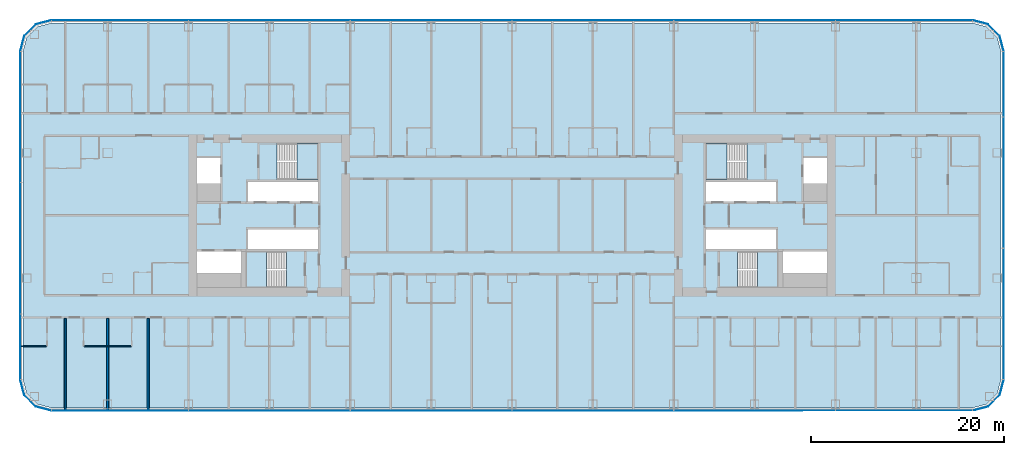
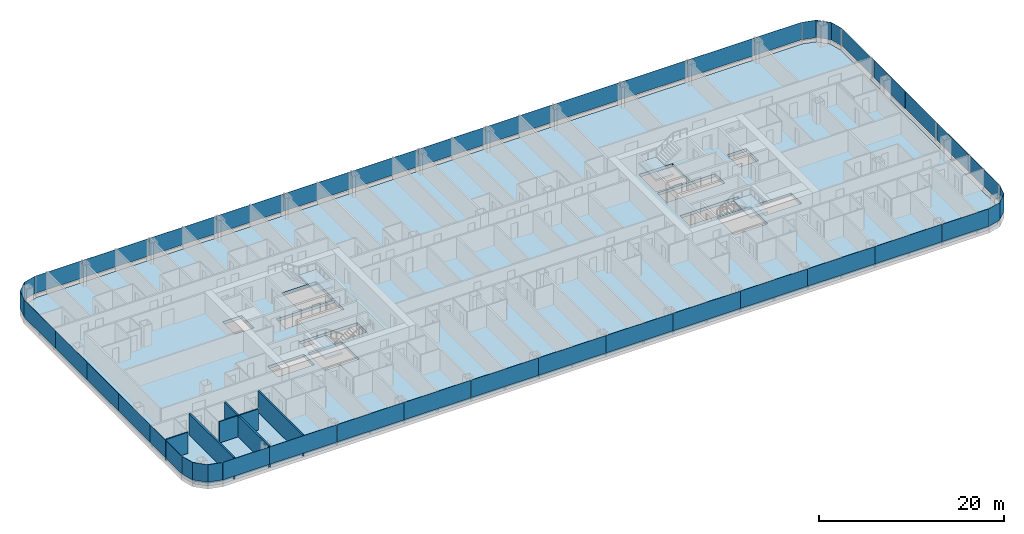
# One storey, part 12 of 29: 38 plates, 5 slabs, 5 walls, 12 elements without a shape of their own.
"""IFC4 building model written with IfcOpenShell, lengths in metres."""

from ifc_helpers import new_model, si_unit, direction, frame, frame_2d, origin, origin_2d, place, context, subcontext, project, spatial, polyline, rectangle, outline, extrude, material, layer, layer_set, type_object, element, aggregate, save


model = new_model("IFC4")

# Units and contexts
model_context = context("Model", 3, precision=1e-05, world=origin(), true_north=direction((0.0, 1.0)))
body_context = subcontext(model_context, "Body", "Model", "MODEL_VIEW")
ifc_project = project(units=[si_unit("LENGTHUNIT", "METRE"), si_unit("AREAUNIT", "SQUARE_METRE"), si_unit("VOLUMEUNIT", "CUBIC_METRE"), si_unit("PLANEANGLEUNIT", "RADIAN"), si_unit("MASSUNIT", "GRAM", prefix="KILO")], contexts=[model_context])

# Site, building, storey
site_placement = place(None, origin())
site = spatial("IfcSite", under=ifc_project, at=site_placement, CompositionType="ELEMENT")
building_placement = place(site_placement, origin())
building = spatial("IfcBuilding", under=site, at=building_placement, Name="Hakoniwa Tower and Hamabe Station Hall", CompositionType="ELEMENT")
storey_placement = place(building_placement, frame((0.0, 0.0, 55.0)))
storey = spatial("IfcBuildingStorey", under=building, at=storey_placement, Name="L15", CompositionType="ELEMENT", Elevation=55.0)

# Stair, slab
ifc_material_1 = material(Name="Concrete C40", Category="concrete")
stair_type = type_object("IfcStairType", Name="ESCAPE STAIR 1800", PredefinedType="HALF_TURN_STAIR", material=ifc_material_1)
stair_1_placement = place(storey_placement, origin())
stair_1 = element("IfcStair", 1, at=stair_1_placement, inside=storey, type_object=stair_type, Name="Escape stair ST-1 L15", PredefinedType="HALF_TURN_STAIR")
ifc_material_2 = material(Name="Concrete C40", Category="concrete")
ifc_layer_1 = layer(ifc_material_2, 0.25)
ifc_layer_set_1 = layer_set([ifc_layer_1], Name="CORE STAIR LANDING 250")
slab_type_1 = type_object("IfcSlabType", Name="CORE STAIR LANDING 250", PredefinedType="LANDING", material=ifc_layer_set_1)
slab_1_placement = place(storey_placement, frame((0.0, 0.0, 1.35009765625)))
slab_1 = element("IfcSlab", 2, at=slab_1_placement, type_object=slab_type_1, Name="ST-1 landing 1", PredefinedType="LANDING", context=body_context, shape_type="SweptSolid", body=[
    extrude(outline(polyline([(-22.320068359375, 3.75), (-20.14990234375, 3.75), (-20.14990234375, 7.5), (-22.320068359375, 7.5), (-22.320068359375, 3.75)])), origin(), (0.0, 0.0, 1.0), 0.25),
])
aggregate(stair_1, [slab_1])

stair_2_placement = place(storey_placement, origin())
stair_2 = element("IfcStair", 3, at=stair_2_placement, inside=storey, type_object=stair_type, Name="Escape stair ST-2 L15", PredefinedType="HALF_TURN_STAIR")
slab_2_placement = place(storey_placement, frame((0.0, 0.0, 1.35009765625)))
slab_2 = element("IfcSlab", 4, at=slab_2_placement, type_object=slab_type_1, Name="ST-2 landing 1", PredefinedType="LANDING", context=body_context, shape_type="SweptSolid", body=[
    extrude(outline(polyline([(-25.47998046875, -7.5), (-27.64990234375, -7.5), (-27.64990234375, -3.75), (-25.47998046875, -3.75), (-25.47998046875, -7.5)])), origin(), (0.0, 0.0, 1.0), 0.25),
])
aggregate(stair_2, [slab_2])

stair_3_placement = place(storey_placement, origin())
stair_3 = element("IfcStair", 5, at=stair_3_placement, inside=storey, type_object=stair_type, Name="Escape stair ST-3 L15", PredefinedType="HALF_TURN_STAIR")
slab_3_placement = place(storey_placement, frame((0.0, 0.0, 1.35009765625)))
slab_3 = element("IfcSlab", 6, at=slab_3_placement, type_object=slab_type_1, Name="ST-3 landing 1", PredefinedType="LANDING", context=body_context, shape_type="SweptSolid", body=[
    extrude(outline(polyline([(22.320068359375, 3.75), (20.14990234375, 3.75), (20.14990234375, 7.5), (22.320068359375, 7.5), (22.320068359375, 3.75)])), origin(), (0.0, 0.0, 1.0), 0.25),
])
aggregate(stair_3, [slab_3])

stair_4_placement = place(storey_placement, origin())
stair_4 = element("IfcStair", 7, at=stair_4_placement, inside=storey, type_object=stair_type, Name="Escape stair ST-4 L15", PredefinedType="HALF_TURN_STAIR")
slab_4_placement = place(storey_placement, frame((0.0, 0.0, 1.35009765625)))
slab_4 = element("IfcSlab", 8, at=slab_4_placement, type_object=slab_type_1, Name="ST-4 landing 1", PredefinedType="LANDING", context=body_context, shape_type="SweptSolid", body=[
    extrude(outline(polyline([(25.47998046875, -7.5), (27.64990234375, -7.5), (27.64990234375, -3.75), (25.47998046875, -3.75), (25.47998046875, -7.5)])), origin(), (0.0, 0.0, 1.0), 0.25),
])
aggregate(stair_4, [slab_4])

# Curtain wall, plates
ifc_material_3 = material(Name="Dark low-e laminated glass", Category="glass")
ifc_layer_2 = layer(ifc_material_3, 0.199951171875)
ifc_layer_set_2 = layer_set([ifc_layer_2], Name="CW-1 UNITISED GUEST")
curtain_wall_type = type_object("IfcCurtainWallType", Name="CW-1 UNITISED GUEST", PredefinedType="NOTDEFINED", material=ifc_layer_set_2)
curtain_wall_1_placement = place(storey_placement, origin())
curtain_wall_1 = element("IfcCurtainWall", 9, at=curtain_wall_1_placement, inside=storey, type_object=curtain_wall_type, Name="CW-1 curtain wall", PredefinedType="NOTDEFINED")
ifc_material_4 = material(Name="Dark low-e laminated glass", Category="glass")
ifc_layer_3 = layer(ifc_material_4, 0.028076171875)
ifc_layer_set_3 = layer_set([ifc_layer_3], Name="CW-1 GLASS UNIT")
plate_type = type_object("IfcPlateType", Name="CW-1 GLASS UNIT", PredefinedType="CURTAIN_PANEL", material=ifc_layer_set_3)
plate_1_placement = place(storey_placement, frame((51.0859375, -13.631591796875, 0.35009765625), z_axis=(0.0, 0.0, 1.0), x_axis=(0.0, 1.0, 0.0)))
plate_1 = element("IfcPlate", 10, at=plate_1_placement, type_object=plate_type, Name="CW-1 glass unit", PredefinedType="CURTAIN_PANEL", context=body_context, shape_type="SweptSolid", body=[
    extrude(rectangle(XDim=6.7958984375, YDim=0.028076171875, at=origin_2d()), origin(), (0.0, 0.0, 1.0), 2.300048828125),
])
plate_2_placement = place(storey_placement, frame((51.0859375, -6.81591796875, 0.35009765625), z_axis=(0.0, 0.0, 1.0), x_axis=(0.0, 1.0, 0.0)))
plate_2 = element("IfcPlate", 11, at=plate_2_placement, type_object=plate_type, Name="CW-1 glass unit", PredefinedType="CURTAIN_PANEL", context=body_context, shape_type="SweptSolid", body=[
    extrude(rectangle(XDim=6.7958984375, YDim=0.028076171875, at=origin_2d()), origin(), (0.0, 0.0, 1.0), 2.300048828125),
])
plate_3_placement = place(storey_placement, frame((51.0859375, 0.0, 0.35009765625), z_axis=(0.0, 0.0, 1.0), x_axis=(0.0, 1.0, 0.0)))
plate_3 = element("IfcPlate", 12, at=plate_3_placement, type_object=plate_type, Name="CW-1 glass unit", PredefinedType="CURTAIN_PANEL", context=body_context, shape_type="SweptSolid", body=[
    extrude(rectangle(XDim=6.7958984375, YDim=0.028076171875, at=origin_2d()), origin(), (0.0, 0.0, 1.0), 2.300048828125),
])
plate_4_placement = place(storey_placement, frame((51.0859375, 6.81591796875, 0.35009765625), z_axis=(0.0, 0.0, 1.0), x_axis=(0.0, 1.0, 0.0)))
plate_4 = element("IfcPlate", 13, at=plate_4_placement, type_object=plate_type, Name="CW-1 glass unit", PredefinedType="CURTAIN_PANEL", context=body_context, shape_type="SweptSolid", body=[
    extrude(rectangle(XDim=6.7958984375, YDim=0.028076171875, at=origin_2d()), origin(), (0.0, 0.0, 1.0), 2.300048828125),
])
plate_5_placement = place(storey_placement, frame((51.0859375, 13.631591796875, 0.35009765625), z_axis=(0.0, 0.0, 1.0), x_axis=(0.0, 1.0, 0.0)))
plate_5 = element("IfcPlate", 14, at=plate_5_placement, type_object=plate_type, Name="CW-1 glass unit", PredefinedType="CURTAIN_PANEL", context=body_context, shape_type="SweptSolid", body=[
    extrude(rectangle(XDim=6.7958984375, YDim=0.028076171875, at=origin_2d()), origin(), (0.0, 0.0, 1.0), 2.300048828125),
])
aggregate(curtain_wall_1, [plate_1, plate_2, plate_3, plate_4, plate_5])

# Curtain wall, plate
curtain_wall_2_placement = place(storey_placement, origin())
curtain_wall_2 = element("IfcCurtainWall", 15, at=curtain_wall_2_placement, inside=storey, type_object=curtain_wall_type, Name="CW-1 curtain wall", PredefinedType="NOTDEFINED")
plate_6_placement = place(storey_placement, frame((0.0, 0.0, 0.35009765625)))
plate_6 = element("IfcPlate", 16, at=plate_6_placement, type_object=plate_type, Name="CW-1 curved corner unit", PredefinedType="CURTAIN_PANEL", context=body_context, shape_type="SweptSolid", body=[
    extrude(outline(polyline([(51.089599609375, 17.078125), (50.6669921875, 18.6552734375), (49.455322265625, 19.866943359375), (47.878173828125, 20.28955078125), (47.870849609375, 20.2626953125), (49.44091796875, 19.842041015625), (50.641845703125, 18.640869140625), (51.0625, 17.07080078125), (51.089599609375, 17.078125)])), origin(), (0.0, 0.0, 1.0), 2.2998046875),
])
aggregate(curtain_wall_2, [plate_6])

# Curtain wall, plates
curtain_wall_3_placement = place(storey_placement, origin())
curtain_wall_3 = element("IfcCurtainWall", 17, at=curtain_wall_3_placement, inside=storey, type_object=curtain_wall_type, Name="CW-1 curtain wall", PredefinedType="NOTDEFINED")
plate_7_placement = place(storey_placement, frame((44.919677734375, 20.285888671875, 0.35009765625), z_axis=(0.0, 0.0, 1.0), x_axis=(-1.0, 0.0, 0.0)))
plate_7 = element("IfcPlate", 18, at=plate_7_placement, type_object=plate_type, Name="CW-1 glass unit", PredefinedType="CURTAIN_PANEL", context=body_context, shape_type="SweptSolid", body=[
    extrude(rectangle(XDim=5.819580078125, YDim=0.028076171875, at=origin_2d()), origin(), (0.0, 0.0, 1.0), 2.300048828125),
])
plate_8_placement = place(storey_placement, frame((37.800048828125, 20.285888671875, 0.35009765625), z_axis=(0.0, 0.0, 1.0), x_axis=(-1.0, 0.0, 0.0)))
plate_8 = element("IfcPlate", 19, at=plate_8_placement, type_object=plate_type, Name="CW-1 glass unit", PredefinedType="CURTAIN_PANEL", context=body_context, shape_type="SweptSolid", body=[
    extrude(rectangle(XDim=8.3798828125, YDim=0.028076171875, at=origin_2d()), origin(), (0.0, 0.0, 1.0), 2.300048828125),
])
plate_9_placement = place(storey_placement, frame((29.39990234375, 20.285888671875, 0.35009765625), z_axis=(0.0, 0.0, 1.0), x_axis=(-1.0, 0.0, 0.0)))
plate_9 = element("IfcPlate", 20, at=plate_9_placement, type_object=plate_type, Name="CW-1 glass unit", PredefinedType="CURTAIN_PANEL", context=body_context, shape_type="SweptSolid", body=[
    extrude(rectangle(XDim=8.3798828125, YDim=0.028076171875, at=origin_2d()), origin(), (0.0, 0.0, 1.0), 2.300048828125),
])
plate_10_placement = place(storey_placement, frame((21.0, 20.285888671875, 0.35009765625), z_axis=(0.0, 0.0, 1.0), x_axis=(-1.0, 0.0, 0.0)))
plate_10 = element("IfcPlate", 21, at=plate_10_placement, type_object=plate_type, Name="CW-1 glass unit", PredefinedType="CURTAIN_PANEL", context=body_context, shape_type="SweptSolid", body=[
    extrude(rectangle(XDim=8.3798828125, YDim=0.028076171875, at=origin_2d()), origin(), (0.0, 0.0, 1.0), 2.300048828125),
])
plate_11_placement = place(storey_placement, frame((12.60009765625, 20.285888671875, 0.35009765625), z_axis=(0.0, 0.0, 1.0), x_axis=(-1.0, 0.0, 0.0)))
plate_11 = element("IfcPlate", 22, at=plate_11_placement, type_object=plate_type, Name="CW-1 glass unit", PredefinedType="CURTAIN_PANEL", context=body_context, shape_type="SweptSolid", body=[
    extrude(rectangle(XDim=8.3798828125, YDim=0.028076171875, at=origin_2d()), origin(), (0.0, 0.0, 1.0), 2.300048828125),
])
plate_12_placement = place(storey_placement, frame((4.199951171875, 20.285888671875, 0.35009765625), z_axis=(0.0, 0.0, 1.0), x_axis=(-1.0, 0.0, 0.0)))
plate_12 = element("IfcPlate", 23, at=plate_12_placement, type_object=plate_type, Name="CW-1 glass unit", PredefinedType="CURTAIN_PANEL", context=body_context, shape_type="SweptSolid", body=[
    extrude(rectangle(XDim=8.3798828125, YDim=0.028076171875, at=origin_2d()), origin(), (0.0, 0.0, 1.0), 2.300048828125),
])
plate_13_placement = place(storey_placement, frame((-4.199951171875, 20.285888671875, 0.35009765625), z_axis=(0.0, 0.0, 1.0), x_axis=(-1.0, 0.0, 0.0)))
plate_13 = element("IfcPlate", 24, at=plate_13_placement, type_object=plate_type, Name="CW-1 glass unit", PredefinedType="CURTAIN_PANEL", context=body_context, shape_type="SweptSolid", body=[
    extrude(rectangle(XDim=8.3798828125, YDim=0.028076171875, at=origin_2d()), origin(), (0.0, 0.0, 1.0), 2.300048828125),
])
plate_14_placement = place(storey_placement, frame((-12.60009765625, 20.285888671875, 0.35009765625), z_axis=(0.0, 0.0, 1.0), x_axis=(-1.0, 0.0, 0.0)))
plate_14 = element("IfcPlate", 25, at=plate_14_placement, type_object=plate_type, Name="CW-1 glass unit", PredefinedType="CURTAIN_PANEL", context=body_context, shape_type="SweptSolid", body=[
    extrude(rectangle(XDim=8.3798828125, YDim=0.028076171875, at=origin_2d()), origin(), (0.0, 0.0, 1.0), 2.300048828125),
])
plate_15_placement = place(storey_placement, frame((-21.0, 20.285888671875, 0.35009765625), z_axis=(0.0, 0.0, 1.0), x_axis=(-1.0, 0.0, 0.0)))
plate_15 = element("IfcPlate", 26, at=plate_15_placement, type_object=plate_type, Name="CW-1 glass unit", PredefinedType="CURTAIN_PANEL", context=body_context, shape_type="SweptSolid", body=[
    extrude(rectangle(XDim=8.3798828125, YDim=0.028076171875, at=origin_2d()), origin(), (0.0, 0.0, 1.0), 2.300048828125),
])
plate_16_placement = place(storey_placement, frame((-29.39990234375, 20.285888671875, 0.35009765625), z_axis=(0.0, 0.0, 1.0), x_axis=(-1.0, 0.0, 0.0)))
plate_16 = element("IfcPlate", 27, at=plate_16_placement, type_object=plate_type, Name="CW-1 glass unit", PredefinedType="CURTAIN_PANEL", context=body_context, shape_type="SweptSolid", body=[
    extrude(rectangle(XDim=8.3798828125, YDim=0.028076171875, at=origin_2d()), origin(), (0.0, 0.0, 1.0), 2.300048828125),
])
plate_17_placement = place(storey_placement, frame((-37.800048828125, 20.285888671875, 0.35009765625), z_axis=(0.0, 0.0, 1.0), x_axis=(-1.0, 0.0, 0.0)))
plate_17 = element("IfcPlate", 28, at=plate_17_placement, type_object=plate_type, Name="CW-1 glass unit", PredefinedType="CURTAIN_PANEL", context=body_context, shape_type="SweptSolid", body=[
    extrude(rectangle(XDim=8.3798828125, YDim=0.028076171875, at=origin_2d()), origin(), (0.0, 0.0, 1.0), 2.300048828125),
])
plate_18_placement = place(storey_placement, frame((-44.919677734375, 20.285888671875, 0.35009765625), z_axis=(0.0, 0.0, 1.0), x_axis=(-1.0, 0.0, 0.0)))
plate_18 = element("IfcPlate", 29, at=plate_18_placement, type_object=plate_type, Name="CW-1 glass unit", PredefinedType="CURTAIN_PANEL", context=body_context, shape_type="SweptSolid", body=[
    extrude(rectangle(XDim=5.819580078125, YDim=0.028076171875, at=origin_2d()), origin(), (0.0, 0.0, 1.0), 2.300048828125),
])
aggregate(curtain_wall_3, [plate_7, plate_8, plate_9, plate_10, plate_11, plate_12, plate_13, plate_14, plate_15, plate_16, plate_17, plate_18])

# Curtain wall, plate
curtain_wall_4_placement = place(storey_placement, origin())
curtain_wall_4 = element("IfcCurtainWall", 30, at=curtain_wall_4_placement, inside=storey, type_object=curtain_wall_type, Name="CW-1 curtain wall", PredefinedType="NOTDEFINED")
plate_19_placement = place(storey_placement, frame((0.0, 0.0, 0.35009765625)))
plate_19 = element("IfcPlate", 31, at=plate_19_placement, type_object=plate_type, Name="CW-1 curved corner unit", PredefinedType="CURTAIN_PANEL", context=body_context, shape_type="SweptSolid", body=[
    extrude(outline(polyline([(-47.878173828125, 20.28955078125), (-49.455322265625, 19.866943359375), (-50.6669921875, 18.6552734375), (-51.089599609375, 17.078125), (-51.0625, 17.07080078125), (-50.641845703125, 18.640869140625), (-49.44091796875, 19.842041015625), (-47.870849609375, 20.2626953125), (-47.878173828125, 20.28955078125)])), origin(), (0.0, 0.0, 1.0), 2.2998046875),
])
aggregate(curtain_wall_4, [plate_19])

# Curtain wall, plates
curtain_wall_5_placement = place(storey_placement, origin())
curtain_wall_5 = element("IfcCurtainWall", 32, at=curtain_wall_5_placement, inside=storey, type_object=curtain_wall_type, Name="CW-1 curtain wall", PredefinedType="NOTDEFINED")
plate_20_placement = place(storey_placement, frame((-51.0859375, 13.631591796875, 0.35009765625), z_axis=(0.0, 0.0, 1.0), x_axis=(0.0, -1.0, 0.0)))
plate_20 = element("IfcPlate", 33, at=plate_20_placement, type_object=plate_type, Name="CW-1 glass unit", PredefinedType="CURTAIN_PANEL", context=body_context, shape_type="SweptSolid", body=[
    extrude(rectangle(XDim=6.7958984375, YDim=0.028076171875, at=origin_2d()), origin(), (0.0, 0.0, 1.0), 2.300048828125),
])
plate_21_placement = place(storey_placement, frame((-51.0859375, 6.81591796875, 0.35009765625), z_axis=(0.0, 0.0, 1.0), x_axis=(0.0, -1.0, 0.0)))
plate_21 = element("IfcPlate", 34, at=plate_21_placement, type_object=plate_type, Name="CW-1 glass unit", PredefinedType="CURTAIN_PANEL", context=body_context, shape_type="SweptSolid", body=[
    extrude(rectangle(XDim=6.7958984375, YDim=0.028076171875, at=origin_2d()), origin(), (0.0, 0.0, 1.0), 2.300048828125),
])
plate_22_placement = place(storey_placement, frame((-51.0859375, 0.0, 0.35009765625), z_axis=(0.0, 0.0, 1.0), x_axis=(0.0, -1.0, 0.0)))
plate_22 = element("IfcPlate", 35, at=plate_22_placement, type_object=plate_type, Name="CW-1 glass unit", PredefinedType="CURTAIN_PANEL", context=body_context, shape_type="SweptSolid", body=[
    extrude(rectangle(XDim=6.7958984375, YDim=0.028076171875, at=origin_2d()), origin(), (0.0, 0.0, 1.0), 2.300048828125),
])
plate_23_placement = place(storey_placement, frame((-51.0859375, -6.81591796875, 0.35009765625), z_axis=(0.0, 0.0, 1.0), x_axis=(0.0, -1.0, 0.0)))
plate_23 = element("IfcPlate", 36, at=plate_23_placement, type_object=plate_type, Name="CW-1 glass unit", PredefinedType="CURTAIN_PANEL", context=body_context, shape_type="SweptSolid", body=[
    extrude(rectangle(XDim=6.7958984375, YDim=0.028076171875, at=origin_2d()), origin(), (0.0, 0.0, 1.0), 2.300048828125),
])
plate_24_placement = place(storey_placement, frame((-51.0859375, -13.631591796875, 0.35009765625), z_axis=(0.0, 0.0, 1.0), x_axis=(0.0, -1.0, 0.0)))
plate_24 = element("IfcPlate", 37, at=plate_24_placement, type_object=plate_type, Name="CW-1 glass unit", PredefinedType="CURTAIN_PANEL", context=body_context, shape_type="SweptSolid", body=[
    extrude(rectangle(XDim=6.7958984375, YDim=0.028076171875, at=origin_2d()), origin(), (0.0, 0.0, 1.0), 2.300048828125),
])
aggregate(curtain_wall_5, [plate_20, plate_21, plate_22, plate_23, plate_24])

# Curtain wall, plate
curtain_wall_6_placement = place(storey_placement, origin())
curtain_wall_6 = element("IfcCurtainWall", 38, at=curtain_wall_6_placement, inside=storey, type_object=curtain_wall_type, Name="CW-1 curtain wall", PredefinedType="NOTDEFINED")
plate_25_placement = place(storey_placement, frame((0.0, 0.0, 0.35009765625)))
plate_25 = element("IfcPlate", 39, at=plate_25_placement, type_object=plate_type, Name="CW-1 curved corner unit", PredefinedType="CURTAIN_PANEL", context=body_context, shape_type="SweptSolid", body=[
    extrude(outline(polyline([(-51.089599609375, -17.078125), (-50.6669921875, -18.6552734375), (-49.455322265625, -19.866943359375), (-47.878173828125, -20.28955078125), (-47.870849609375, -20.2626953125), (-49.44091796875, -19.842041015625), (-50.641845703125, -18.640869140625), (-51.0625, -17.07080078125), (-51.089599609375, -17.078125)])), origin(), (0.0, 0.0, 1.0), 2.2998046875),
])
aggregate(curtain_wall_6, [plate_25])

# Curtain wall, plates
curtain_wall_7_placement = place(storey_placement, origin())
curtain_wall_7 = element("IfcCurtainWall", 40, at=curtain_wall_7_placement, inside=storey, type_object=curtain_wall_type, Name="CW-1 curtain wall", PredefinedType="NOTDEFINED")
plate_26_placement = place(storey_placement, frame((-44.919677734375, -20.285888671875, 0.35009765625), z_axis=(0.0, 0.0, 1.0), x_axis=(1.0, 0.0, 0.0)))
plate_26 = element("IfcPlate", 41, at=plate_26_placement, type_object=plate_type, Name="CW-1 glass unit", PredefinedType="CURTAIN_PANEL", context=body_context, shape_type="SweptSolid", body=[
    extrude(rectangle(XDim=5.819580078125, YDim=0.028076171875, at=origin_2d()), origin(), (0.0, 0.0, 1.0), 2.300048828125),
])
plate_27_placement = place(storey_placement, frame((-37.800048828125, -20.285888671875, 0.35009765625), z_axis=(0.0, 0.0, 1.0), x_axis=(1.0, 0.0, 0.0)))
plate_27 = element("IfcPlate", 42, at=plate_27_placement, type_object=plate_type, Name="CW-1 glass unit", PredefinedType="CURTAIN_PANEL", context=body_context, shape_type="SweptSolid", body=[
    extrude(rectangle(XDim=8.3798828125, YDim=0.028076171875, at=origin_2d()), origin(), (0.0, 0.0, 1.0), 2.300048828125),
])
plate_28_placement = place(storey_placement, frame((-29.39990234375, -20.285888671875, 0.35009765625), z_axis=(0.0, 0.0, 1.0), x_axis=(1.0, 0.0, 0.0)))
plate_28 = element("IfcPlate", 43, at=plate_28_placement, type_object=plate_type, Name="CW-1 glass unit", PredefinedType="CURTAIN_PANEL", context=body_context, shape_type="SweptSolid", body=[
    extrude(rectangle(XDim=8.3798828125, YDim=0.028076171875, at=origin_2d()), origin(), (0.0, 0.0, 1.0), 2.300048828125),
])
plate_29_placement = place(storey_placement, frame((-21.0, -20.285888671875, 0.35009765625), z_axis=(0.0, 0.0, 1.0), x_axis=(1.0, 0.0, 0.0)))
plate_29 = element("IfcPlate", 44, at=plate_29_placement, type_object=plate_type, Name="CW-1 glass unit", PredefinedType="CURTAIN_PANEL", context=body_context, shape_type="SweptSolid", body=[
    extrude(rectangle(XDim=8.3798828125, YDim=0.028076171875, at=origin_2d()), origin(), (0.0, 0.0, 1.0), 2.300048828125),
])
plate_30_placement = place(storey_placement, frame((-12.60009765625, -20.285888671875, 0.35009765625), z_axis=(0.0, 0.0, 1.0), x_axis=(1.0, 0.0, 0.0)))
plate_30 = element("IfcPlate", 45, at=plate_30_placement, type_object=plate_type, Name="CW-1 glass unit", PredefinedType="CURTAIN_PANEL", context=body_context, shape_type="SweptSolid", body=[
    extrude(rectangle(XDim=8.3798828125, YDim=0.028076171875, at=origin_2d()), origin(), (0.0, 0.0, 1.0), 2.300048828125),
])
plate_31_placement = place(storey_placement, frame((-4.199951171875, -20.285888671875, 0.35009765625), z_axis=(0.0, 0.0, 1.0), x_axis=(1.0, 0.0, 0.0)))
plate_31 = element("IfcPlate", 46, at=plate_31_placement, type_object=plate_type, Name="CW-1 glass unit", PredefinedType="CURTAIN_PANEL", context=body_context, shape_type="SweptSolid", body=[
    extrude(rectangle(XDim=8.3798828125, YDim=0.028076171875, at=origin_2d()), origin(), (0.0, 0.0, 1.0), 2.300048828125),
])
plate_32_placement = place(storey_placement, frame((4.199951171875, -20.285888671875, 0.35009765625), z_axis=(0.0, 0.0, 1.0), x_axis=(1.0, 0.0, 0.0)))
plate_32 = element("IfcPlate", 47, at=plate_32_placement, type_object=plate_type, Name="CW-1 glass unit", PredefinedType="CURTAIN_PANEL", context=body_context, shape_type="SweptSolid", body=[
    extrude(rectangle(XDim=8.3798828125, YDim=0.028076171875, at=origin_2d()), origin(), (0.0, 0.0, 1.0), 2.300048828125),
])
plate_33_placement = place(storey_placement, frame((12.60009765625, -20.285888671875, 0.35009765625), z_axis=(0.0, 0.0, 1.0), x_axis=(1.0, 0.0, 0.0)))
plate_33 = element("IfcPlate", 48, at=plate_33_placement, type_object=plate_type, Name="CW-1 glass unit", PredefinedType="CURTAIN_PANEL", context=body_context, shape_type="SweptSolid", body=[
    extrude(rectangle(XDim=8.3798828125, YDim=0.028076171875, at=origin_2d()), origin(), (0.0, 0.0, 1.0), 2.300048828125),
])
plate_34_placement = place(storey_placement, frame((21.0, -20.285888671875, 0.35009765625), z_axis=(0.0, 0.0, 1.0), x_axis=(1.0, 0.0, 0.0)))
plate_34 = element("IfcPlate", 49, at=plate_34_placement, type_object=plate_type, Name="CW-1 glass unit", PredefinedType="CURTAIN_PANEL", context=body_context, shape_type="SweptSolid", body=[
    extrude(rectangle(XDim=8.3798828125, YDim=0.028076171875, at=origin_2d()), origin(), (0.0, 0.0, 1.0), 2.300048828125),
])
plate_35_placement = place(storey_placement, frame((29.39990234375, -20.285888671875, 0.35009765625), z_axis=(0.0, 0.0, 1.0), x_axis=(1.0, 0.0, 0.0)))
plate_35 = element("IfcPlate", 50, at=plate_35_placement, type_object=plate_type, Name="CW-1 glass unit", PredefinedType="CURTAIN_PANEL", context=body_context, shape_type="SweptSolid", body=[
    extrude(rectangle(XDim=8.3798828125, YDim=0.028076171875, at=origin_2d()), origin(), (0.0, 0.0, 1.0), 2.300048828125),
])
plate_36_placement = place(storey_placement, frame((37.800048828125, -20.285888671875, 0.35009765625), z_axis=(0.0, 0.0, 1.0), x_axis=(1.0, 0.0, 0.0)))
plate_36 = element("IfcPlate", 51, at=plate_36_placement, type_object=plate_type, Name="CW-1 glass unit", PredefinedType="CURTAIN_PANEL", context=body_context, shape_type="SweptSolid", body=[
    extrude(rectangle(XDim=8.3798828125, YDim=0.028076171875, at=origin_2d()), origin(), (0.0, 0.0, 1.0), 2.300048828125),
])
plate_37_placement = place(storey_placement, frame((44.919677734375, -20.285888671875, 0.35009765625), z_axis=(0.0, 0.0, 1.0), x_axis=(1.0, 0.0, 0.0)))
plate_37 = element("IfcPlate", 52, at=plate_37_placement, type_object=plate_type, Name="CW-1 glass unit", PredefinedType="CURTAIN_PANEL", context=body_context, shape_type="SweptSolid", body=[
    extrude(rectangle(XDim=5.819580078125, YDim=0.028076171875, at=origin_2d()), origin(), (0.0, 0.0, 1.0), 2.300048828125),
])
aggregate(curtain_wall_7, [plate_26, plate_27, plate_28, plate_29, plate_30, plate_31, plate_32, plate_33, plate_34, plate_35, plate_36, plate_37])

# Curtain wall, plate
curtain_wall_8_placement = place(storey_placement, origin())
curtain_wall_8 = element("IfcCurtainWall", 53, at=curtain_wall_8_placement, inside=storey, type_object=curtain_wall_type, Name="CW-1 curtain wall", PredefinedType="NOTDEFINED")
plate_38_placement = place(storey_placement, frame((0.0, 0.0, 0.35009765625)))
plate_38 = element("IfcPlate", 54, at=plate_38_placement, type_object=plate_type, Name="CW-1 curved corner unit", PredefinedType="CURTAIN_PANEL", context=body_context, shape_type="SweptSolid", body=[
    extrude(outline(polyline([(47.878173828125, -20.28955078125), (49.455322265625, -19.866943359375), (50.6669921875, -18.6552734375), (51.089599609375, -17.078125), (51.0625, -17.07080078125), (50.641845703125, -18.640869140625), (49.44091796875, -19.842041015625), (47.870849609375, -20.2626953125), (47.878173828125, -20.28955078125)])), origin(), (0.0, 0.0, 1.0), 2.2998046875),
])
aggregate(curtain_wall_8, [plate_38])

# Slab
ifc_material_5 = material(Name="Concrete C42", Category="concrete")
ifc_layer_4 = layer(ifc_material_5, 0.39990234375)
ifc_layer_set_4 = layer_set([ifc_layer_4], Name="PT FLAT PLATE 400")
slab_type_2 = type_object("IfcSlabType", Name="PT FLAT PLATE 400", PredefinedType="FLOOR", material=ifc_layer_set_4)
slab_5_placement = place(storey_placement, frame((0.0, 0.0, -0.39990234375)))
element("IfcSlab", 55, at=slab_5_placement, inside=storey, type_object=slab_type_2, Name="Floor slab L15", PredefinedType="FLOOR", context=body_context, shape_type="SweptSolid", body=[
    extrude(outline(polyline([(50.800048828125, -17.0), (50.800048828125, 17.0), (50.398193359375, 18.5), (49.300048828125, 19.59814453125), (47.800048828125, 20.0), (-47.800048828125, 20.0), (-49.300048828125, 19.59814453125), (-50.398193359375, 18.5), (-50.800048828125, 17.0), (-50.800048828125, -17.0), (-50.398193359375, -18.5), (-49.300048828125, -19.59814453125), (-47.800048828125, -20.0), (47.800048828125, -20.0), (49.300048828125, -19.59814453125), (50.398193359375, -18.5), (50.800048828125, -17.0)]), holes=[polyline([(-27.39990234375, 1.449951171875), (-27.39990234375, 3.5), (-20.14990234375, 3.5), (-20.14990234375, 1.449951171875), (-27.39990234375, 1.449951171875)]), polyline([(-27.39990234375, -3.5), (-27.39990234375, -1.449951171875), (-20.14990234375, -1.449951171875), (-20.14990234375, -3.5), (-27.39990234375, -3.5)]), polyline([(-32.699951171875, 3.300048828125), (-32.699951171875, 5.949951171875), (-30.300048828125, 5.949951171875), (-30.300048828125, 3.300048828125), (-32.699951171875, 3.300048828125)]), polyline([(-32.699951171875, -6.0), (-32.699951171875, -3.75), (-28.14990234375, -3.75), (-28.14990234375, -6.0), (-32.699951171875, -6.0)]), polyline([(-24.389892578125, 3.75), (-24.389892578125, 7.5), (-20.14990234375, 7.5), (-20.14990234375, 3.75), (-24.389892578125, 3.75)]), polyline([(-27.64990234375, -7.5), (-27.64990234375, -3.75), (-23.409912109375, -3.75), (-23.409912109375, -7.5), (-27.64990234375, -7.5)]), polyline([(20.14990234375, 1.449951171875), (20.14990234375, 3.5), (27.39990234375, 3.5), (27.39990234375, 1.449951171875), (20.14990234375, 1.449951171875)]), polyline([(20.14990234375, -3.5), (20.14990234375, -1.449951171875), (27.39990234375, -1.449951171875), (27.39990234375, -3.5), (20.14990234375, -3.5)]), polyline([(30.300048828125, 3.300048828125), (30.300048828125, 5.949951171875), (32.699951171875, 5.949951171875), (32.699951171875, 3.300048828125), (30.300048828125, 3.300048828125)]), polyline([(28.14990234375, -6.0), (28.14990234375, -3.75), (32.699951171875, -3.75), (32.699951171875, -6.0), (28.14990234375, -6.0)]), polyline([(20.14990234375, 3.75), (20.14990234375, 7.5), (24.389892578125, 7.5), (24.389892578125, 3.75), (20.14990234375, 3.75)]), polyline([(23.409912109375, -7.5), (23.409912109375, -3.75), (27.64990234375, -3.75), (27.64990234375, -7.5), (23.409912109375, -7.5)])]), origin(), (0.0, 0.0, 1.0), 0.39990234375),
])

# Walls
ifc_material_6 = material(Name="Gypsum board partition", Category="gypsum")
ifc_layer_5 = layer(ifc_material_6, 0.125)
ifc_layer_set_5 = layer_set([ifc_layer_5], Name="Bathroom Partition 125")
wall_type_1 = type_object("IfcWallType", Name="Bathroom Partition 125", PredefinedType="PARTITIONING", material=ifc_layer_set_5)
wall_1_placement = place(storey_placement, frame((-51.10009765625, -13.60009765625, 0.0), z_axis=(0.0, 0.0, 1.0), x_axis=(1.0, 0.0, 0.0)))
element("IfcWall", 56, at=wall_1_placement, inside=storey, type_object=wall_type_1, Name="GW-L15-001", PredefinedType="PARTITIONING", context=body_context, shape_type="SweptSolid", body=[
    extrude(rectangle(XDim=2.737548828125, YDim=0.125, at=frame_2d((1.36865234375, 0.0))), origin(), (0.0, 0.0, 1.0), 2.800048828125),
])
wall_2_placement = place(storey_placement, frame((-44.4375, -13.60009765625, 0.0), z_axis=(0.0, 0.0, 1.0), x_axis=(1.0, 0.0, 0.0)))
element("IfcWall", 57, at=wall_2_placement, inside=storey, type_object=wall_type_1, Name="GW-L15-002", PredefinedType="PARTITIONING", context=body_context, shape_type="SweptSolid", body=[
    extrude(rectangle(XDim=4.875, YDim=0.125, at=frame_2d((2.4375, 0.0))), origin(), (0.0, 0.0, 1.0), 2.800048828125),
])
ifc_material_7 = material(Name="Fire-rated gypsum board partition", Category="gypsum")
ifc_layer_6 = layer(ifc_material_7, 0.199951171875)
ifc_layer_set_6 = layer_set([ifc_layer_6], Name="Party Wall 200")
wall_type_2 = type_object("IfcWallType", Name="Party Wall 200", PredefinedType="PARTITIONING", material=ifc_layer_set_6)
for number, where, z_axis, x_axis, name in (
    (58, (-46.39990234375, -20.300048828125, 0.0), (0.0, 0.0, 1.0), (0.0, 1.0, 0.0), "GW-L15-050"),
    (59, (-42.0, -20.300048828125, 0.0), (0.0, 0.0, 1.0), (0.0, 1.0, 0.0), "GW-L15-056"),
    (60, (-37.800048828125, -20.300048828125, 0.0), (0.0, 0.0, 1.0), (0.0, 1.0, 0.0), "GW-L15-061"),
):
    element("IfcWall", number, at=place(storey_placement, frame(where, z_axis=z_axis, x_axis=x_axis)), inside=storey, type_object=wall_type_2, Name=name, PredefinedType="PARTITIONING", context=body_context, shape_type="SweptSolid", body=[
        extrude(rectangle(XDim=9.60009765625, YDim=0.199951171875, at=frame_2d((4.800048828125, 0.0))), origin(), (0.0, 0.0, 1.0), 2.800048828125),
    ])

save(model, "model.ifc")
